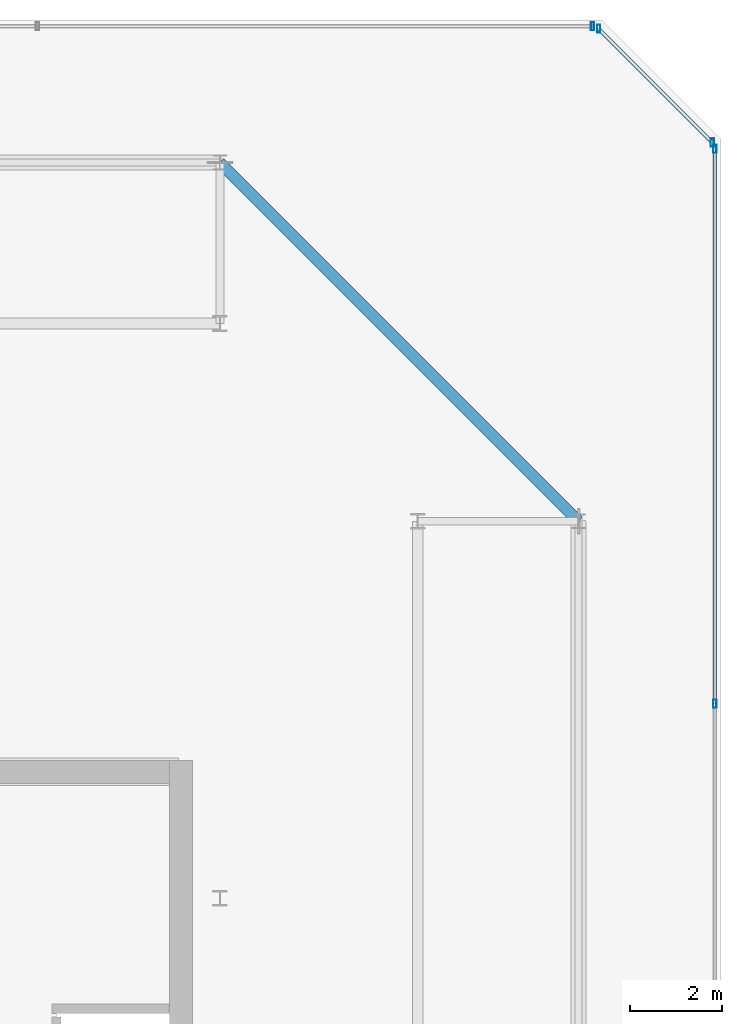
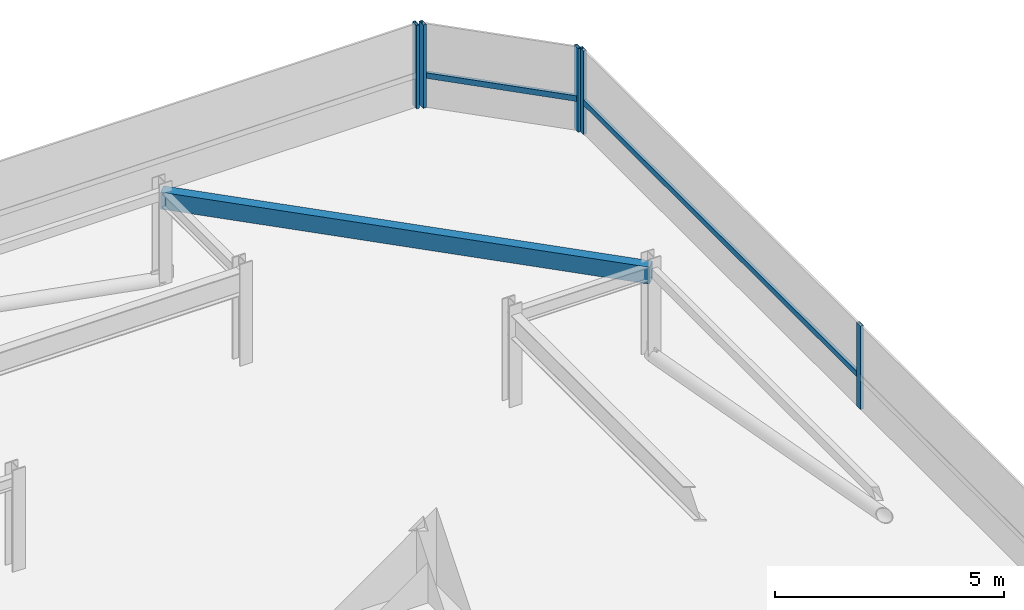
# One storey, part 36 of 42: 7 members, 1 beam, 3 elements without a shape of their own.
"""IFC4 building model written with IfcOpenShell, lengths in metres."""

from ifc_helpers import new_model, si_unit, direction, frame, origin, origin_2d, place, context, subcontext, project, spatial, hollow_rectangle, extrude, material, material_profile, profile_set, type_object, element, aggregate, save


model = new_model("IFC4")

# Units and contexts
model_context = context("Model", 3, precision=1e-05, world=origin(), true_north=direction((0.0, 1.0)))
body_context = subcontext(model_context, "Body", "Model", "MODEL_VIEW")
ifc_project = project(units=[si_unit("LENGTHUNIT", "METRE"), si_unit("AREAUNIT", "SQUARE_METRE"), si_unit("VOLUMEUNIT", "CUBIC_METRE"), si_unit("PLANEANGLEUNIT", "RADIAN"), si_unit("MASSUNIT", "GRAM", prefix="KILO")], contexts=[model_context])

# Site, building, storey
site_placement = place(None, origin())
site = spatial("IfcSite", under=ifc_project, at=site_placement, CompositionType="ELEMENT")
building_placement = place(site_placement, origin())
building = spatial("IfcBuilding", under=site, at=building_placement, Name="Thornwick Lancets Civic Towers", CompositionType="ELEMENT")
storey_placement = place(building_placement, frame((0.0, 0.0, 284.10009765625)))
storey = spatial("IfcBuildingStorey", under=building, at=storey_placement, Name="C02", CompositionType="ELEMENT", Elevation=284.10009765625)

# Beam
ifc_material_1 = material(Name="Steel S355JR", Category="steel")
ifc_material_profile_1 = material_profile(ifc_material_1, hollow_rectangle(XDim=0.25, YDim=0.449951171875, WallThickness=0.01611328125, at=origin_2d()), Name="RHS 450x250x16")
ifc_profile_set_1 = profile_set([ifc_material_profile_1], Name="Steel S355JR")
beam_type = type_object("IfcBeamType", Name="BM_RING_RHS450", PredefinedType="BEAM", material=ifc_profile_set_1)
beam_placement = place(storey_placement, frame((109.300048828125, 40.0, 2.21484375), z_axis=(-0.707106781187, 0.707106781187, 0.0), x_axis=(-0.707106781187, -0.707106781187, 0.0)))
element("IfcBeam", 1, at=beam_placement, inside=storey, type_object=beam_type, Name="BM-CHAMF-C02-B-C0", PredefinedType="BEAM", context=body_context, shape_type="SweptSolid", body=[
    extrude(hollow_rectangle(XDim=0.25, YDim=0.449951171875, WallThickness=0.01611328125, at=origin_2d()), origin(), (0.0, 0.0, 1.0), 11.031005859375),
])

# Curtain wall, members
ifc_material_2 = material(Name="Crown ring acoustic-louvre and glazing screen wall", Category="glass")
curtain_wall_type = type_object("IfcCurtainWallType", Name="CW_SYS_07", PredefinedType="NOTDEFINED", material=ifc_material_2)
curtain_wall_1_placement = place(storey_placement, origin())
curtain_wall_1 = element("IfcCurtainWall", 2, at=curtain_wall_1_placement, inside=storey, type_object=curtain_wall_type, Name="C02 Curtain Wall CW-C02-B-E2", PredefinedType="NOTDEFINED")
ifc_material_3 = material(Name="Thermally broken bronze aluminium S355", Category="steel")
ifc_material_profile_2 = material_profile(ifc_material_3, hollow_rectangle(XDim=0.074951171875, YDim=0.179931640625, WallThickness=0.006103515625, at=origin_2d()), Name="RHS 180x75x6")
ifc_profile_set_2 = profile_set([ifc_material_profile_2], Name="Thermally broken bronze aluminium S355")
member_type_1 = type_object("IfcMemberType", Name="CW_MUL_180", PredefinedType="MULLION", material=ifc_profile_set_2)
member_1_placement = place(storey_placement, frame((112.2646484375, 36.03369140625, 0.0), z_axis=(0.0, 0.0, 1.0), x_axis=(1.0, 0.0, 0.0)))
member_1 = element("IfcMember", 3, at=member_1_placement, type_object=member_type_1, Name="CW-C02-B-E2 Mullion 2", PredefinedType="MULLION", context=body_context, shape_type="SweptSolid", body=[
    extrude(hollow_rectangle(XDim=0.074951171875, YDim=0.179931640625, WallThickness=0.006103515625, at=origin_2d()), origin(), (0.0, 0.0, 1.0), 2.219970703125),
])
member_2_placement = place(storey_placement, frame((112.2646484375, 48.101318359375, 0.0), z_axis=(0.0, 0.0, 1.0), x_axis=(1.0, 0.0, 0.0)))
member_2 = element("IfcMember", 4, at=member_2_placement, type_object=member_type_1, Name="CW-C02-B-E2 Mullion 3", PredefinedType="MULLION", context=body_context, shape_type="SweptSolid", body=[
    extrude(hollow_rectangle(XDim=0.074951171875, YDim=0.179931640625, WallThickness=0.006103515625, at=origin_2d()), origin(), (0.0, 0.0, 1.0), 2.219970703125),
])

curtain_wall_2_placement = place(storey_placement, origin())
curtain_wall_2 = element("IfcCurtainWall", 5, at=curtain_wall_2_placement, inside=storey, type_object=curtain_wall_type, Name="C02 Curtain Wall CW-C02-B-E3", PredefinedType="NOTDEFINED")
member_3_placement = place(storey_placement, frame((112.2080078125, 48.238037109375, 0.0), z_axis=(0.0, 0.0, 1.0), x_axis=(1.0, 0.0, 0.0)))
member_3 = element("IfcMember", 6, at=member_3_placement, type_object=member_type_1, Name="CW-C02-B-E3 Mullion 0", PredefinedType="MULLION", context=body_context, shape_type="SweptSolid", body=[
    extrude(hollow_rectangle(XDim=0.074951171875, YDim=0.179931640625, WallThickness=0.006103515625, at=origin_2d()), origin(), (0.0, 0.0, 1.0), 2.219970703125),
])
member_4_placement = place(storey_placement, frame((109.738037109375, 50.7080078125, 0.0), z_axis=(0.0, 0.0, 1.0), x_axis=(1.0, 0.0, 0.0)))
member_4 = element("IfcMember", 7, at=member_4_placement, type_object=member_type_1, Name="CW-C02-B-E3 Mullion 1", PredefinedType="MULLION", context=body_context, shape_type="SweptSolid", body=[
    extrude(hollow_rectangle(XDim=0.074951171875, YDim=0.179931640625, WallThickness=0.006103515625, at=origin_2d()), origin(), (0.0, 0.0, 1.0), 2.219970703125),
])

# Curtain wall, member
curtain_wall_3_placement = place(storey_placement, origin())
curtain_wall_3 = element("IfcCurtainWall", 8, at=curtain_wall_3_placement, inside=storey, type_object=curtain_wall_type, Name="C02 Curtain Wall CW-C02-B-E4", PredefinedType="NOTDEFINED")
member_5_placement = place(storey_placement, frame((109.601318359375, 50.7646484375, 0.0), z_axis=(0.0, 0.0, 1.0), x_axis=(1.0, 0.0, 0.0)))
member_5 = element("IfcMember", 9, at=member_5_placement, type_object=member_type_1, Name="CW-C02-B-E4 Mullion 0", PredefinedType="MULLION", context=body_context, shape_type="SweptSolid", body=[
    extrude(hollow_rectangle(XDim=0.074951171875, YDim=0.179931640625, WallThickness=0.006103515625, at=origin_2d()), origin(), (0.0, 0.0, 1.0), 2.219970703125),
])
aggregate(curtain_wall_3, [member_5])

# Member
ifc_material_profile_3 = material_profile(ifc_material_3, hollow_rectangle(XDim=0.074951171875, YDim=0.14990234375, WallThickness=0.0048828125, at=origin_2d()), Name="RHS 150x75x5")
ifc_profile_set_3 = profile_set([ifc_material_profile_3], Name="Thermally broken bronze aluminium S355")
member_type_2 = type_object("IfcMemberType", Name="CW_TRN_150", PredefinedType="USERDEFINED", material=ifc_profile_set_3)
member_6_placement = place(storey_placement, frame((112.2646484375, 36.0537109375, 0.849853515625), z_axis=(0.0, 1.0, 0.0), x_axis=(-1.0, 0.0, 0.0)))
member_6 = element("IfcMember", 10, at=member_6_placement, type_object=member_type_2, Name="CW-C02-B-E2 Transom 2", ObjectType="TRANSOM", PredefinedType="USERDEFINED", context=body_context, shape_type="SweptSolid", body=[
    extrude(hollow_rectangle(XDim=0.074951171875, YDim=0.14990234375, WallThickness=0.0048828125, at=origin_2d()), origin(), (0.0, 0.0, 1.0), 12.027587890625),
])

aggregate(curtain_wall_1, [member_1, member_2, member_6])

member_7_placement = place(storey_placement, frame((112.19384765625, 48.252197265625, 0.849853515625), z_axis=(-0.707106781187, 0.707106781187, 0.0), x_axis=(-0.707106781187, -0.707106781187, 0.0)))
member_7 = element("IfcMember", 11, at=member_7_placement, type_object=member_type_2, Name="CW-C02-B-E3 Transom 0", ObjectType="TRANSOM", PredefinedType="USERDEFINED", context=body_context, shape_type="SweptSolid", body=[
    extrude(hollow_rectangle(XDim=0.074951171875, YDim=0.14990234375, WallThickness=0.0048828125, at=origin_2d()), origin(), (0.0, 0.0, 1.0), 3.453125),
])

aggregate(curtain_wall_2, [member_3, member_4, member_7])

save(model, "model.ifc")
